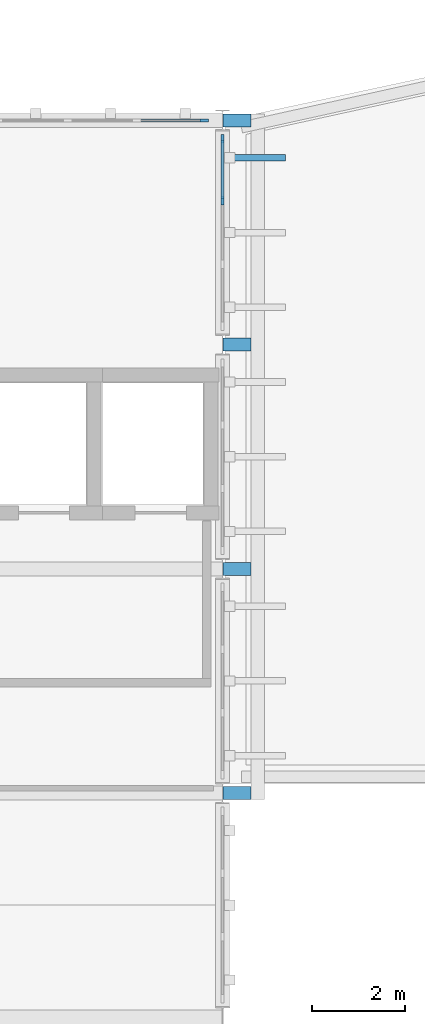
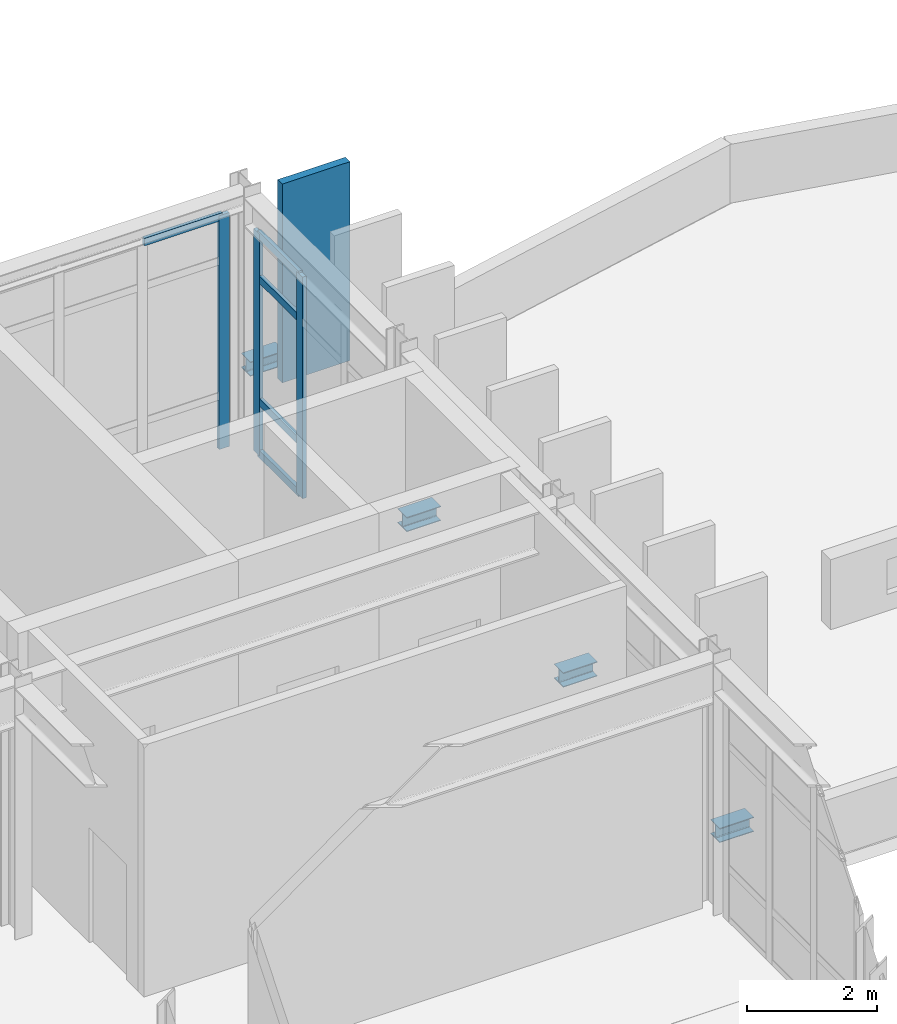
# One storey, part 9 of 16: 9 members, 4 beams, 2 elements without a shape of their own.
"""IFC4 building model written with IfcOpenShell, lengths in metres."""

from ifc_helpers import new_model, si_unit, direction, frame, origin, origin_2d, place, context, subcontext, project, spatial, rectangle, i_section, extrude, material, layer, layer_set, material_profile, profile_set, type_object, element, aggregate, save


model = new_model("IFC4")

# Units and contexts
model_context = context("Model", 3, precision=1e-05, world=origin(), true_north=direction((0.0, 1.0)))
body_context = subcontext(model_context, "Body", "Model", "MODEL_VIEW")
ifc_project = project(units=[si_unit("LENGTHUNIT", "METRE"), si_unit("AREAUNIT", "SQUARE_METRE"), si_unit("VOLUMEUNIT", "CUBIC_METRE"), si_unit("PLANEANGLEUNIT", "RADIAN"), si_unit("MASSUNIT", "GRAM", prefix="KILO")], contexts=[model_context])

# Site, building, storey
site_placement = place(None, origin())
site = spatial("IfcSite", under=ifc_project, at=site_placement, CompositionType="ELEMENT")
building_placement = place(site_placement, origin())
building = spatial("IfcBuilding", under=site, at=building_placement, Name="Nordkorset Police Headquarters", CompositionType="ELEMENT")
storey_placement = place(building_placement, frame((0.0, 0.0, 31.14990234375)))
storey = spatial("IfcBuildingStorey", under=building, at=storey_placement, Name="L07", CompositionType="ELEMENT", Elevation=31.14990234375)

# Curtain wall, member
ifc_material_1 = material(Name="Aluminium alloy AW-6060", Category="aluminium")
ifc_layer_1 = layer(ifc_material_1, 0.179931640625, Name="Aluminium alloy AW-6060")
ifc_layer_set_1 = layer_set([ifc_layer_1], Name="Aluminium alloy AW-6060")
curtain_wall_type_1 = type_object("IfcCurtainWallType", Name="CW_Unit_888x438", PredefinedType="USERDEFINED", material=ifc_layer_set_1)
curtain_wall_1_placement = place(storey_placement, origin())
curtain_wall_1 = element("IfcCurtainWall", 1, at=curtain_wall_1_placement, inside=storey, type_object=curtain_wall_type_1, Name="Unitised Curtain Wall L07 V1N-2", ObjectType="UNITISED CURTAIN WALL", PredefinedType="USERDEFINED")
ifc_material_2 = material(Name="Aluminium alloy AW-6060", Category="aluminium")
ifc_material_profile_1 = material_profile(ifc_material_2, rectangle(XDim=0.06494140625, YDim=0.179931640625, at=origin_2d()), Name="ALU MULL 65x180")
ifc_profile_set_1 = profile_set([ifc_material_profile_1], Name="Aluminium alloy AW-6060")
member_type_1 = type_object("IfcMemberType", Name="CW_Mullion_65x180", PredefinedType="MULLION", material=ifc_profile_set_1)
member_1_placement = place(storey_placement, frame((28.407470703125, 116.800048828125, 0.0), z_axis=(0.0, 0.0, 1.0), x_axis=(0.0, 1.0, 0.0)))
member_1 = element("IfcMember", 2, at=member_1_placement, type_object=member_type_1, Name="CW-102 mullion 7", PredefinedType="MULLION", context=body_context, shape_type="SweptSolid", body=[
    extrude(rectangle(XDim=0.06494140625, YDim=0.179931640625, at=origin_2d()), origin(), (0.0, 0.0, 1.0), 4.380126953125),
])

# Curtain wall, members
ifc_material_3 = material(Name="Aluminium alloy AW-6060", Category="aluminium")
ifc_layer_2 = layer(ifc_material_3, 0.179931640625, Name="Aluminium alloy AW-6060")
ifc_layer_set_2 = layer_set([ifc_layer_2], Name="Aluminium alloy AW-6060")
curtain_wall_type_2 = type_object("IfcCurtainWallType", Name="CW_Unit_408x415", PredefinedType="USERDEFINED", material=ifc_layer_set_2)
curtain_wall_2_placement = place(storey_placement, origin())
curtain_wall_2 = element("IfcCurtainWall", 3, at=curtain_wall_2_placement, inside=storey, type_object=curtain_wall_type_2, Name="Unitised Curtain Wall L07 V1E-6", ObjectType="UNITISED CURTAIN WALL", PredefinedType="USERDEFINED")
member_2_placement = place(storey_placement, frame((28.800048828125, 115.080078125, 0.0), z_axis=(0.0, 0.0, 1.0), x_axis=(-1.0, 0.0, 0.0)))
member_2 = element("IfcMember", 4, at=member_2_placement, type_object=member_type_1, Name="CW-101 mullion 3", PredefinedType="MULLION", context=body_context, shape_type="SweptSolid", body=[
    extrude(rectangle(XDim=0.06494140625, YDim=0.179931640625, at=origin_2d()), origin(), (0.0, 0.0, 1.0), 4.150146484375),
])
member_3_placement = place(storey_placement, frame((28.800048828125, 116.407470703125, 0.0), z_axis=(0.0, 0.0, 1.0), x_axis=(-1.0, 0.0, 0.0)))
member_3 = element("IfcMember", 5, at=member_3_placement, type_object=member_type_1, Name="CW-101 mullion 4", PredefinedType="MULLION", context=body_context, shape_type="SweptSolid", body=[
    extrude(rectangle(XDim=0.06494140625, YDim=0.179931640625, at=origin_2d()), origin(), (0.0, 0.0, 1.0), 4.150146484375),
])

# Member
ifc_material_4 = material(Name="Aluminium alloy AW-6060", Category="aluminium")
ifc_material_profile_2 = material_profile(ifc_material_4, rectangle(XDim=0.06494140625, YDim=0.139892578125, at=origin_2d()), Name="ALU TRAN 65x140")
ifc_profile_set_2 = profile_set([ifc_material_profile_2], Name="Aluminium alloy AW-6060")
member_type_2 = type_object("IfcMemberType", Name="CW_Transom_65x140", PredefinedType="USERDEFINED", material=ifc_profile_set_2)
member_4_placement = place(storey_placement, frame((26.992431640625, 116.800048828125, 4.34765625), z_axis=(1.0, 0.0, 0.0), x_axis=(0.0, 1.0, 0.0)))
member_4 = element("IfcMember", 6, at=member_4_placement, type_object=member_type_2, Name="CW-102 transom 6.4", ObjectType="TRANSOM", PredefinedType="USERDEFINED", context=body_context, shape_type="SweptSolid", body=[
    extrude(rectangle(XDim=0.06494140625, YDim=0.139892578125, at=origin_2d()), origin(), (0.0, 0.0, 1.0), 1.382568359375),
])

aggregate(curtain_wall_1, [member_1, member_4])

member_5_placement = place(storey_placement, frame((28.800048828125, 115.112548828125, 0.03271484375), z_axis=(0.0, 1.0, 0.0), x_axis=(-1.0, 0.0, 0.0)))
member_5 = element("IfcMember", 7, at=member_5_placement, type_object=member_type_2, Name="CW-101 transom 3.1", ObjectType="TRANSOM", PredefinedType="USERDEFINED", context=body_context, shape_type="SweptSolid", body=[
    extrude(rectangle(XDim=0.06494140625, YDim=0.139892578125, at=origin_2d()), origin(), (0.0, 0.0, 1.0), 1.262451171875),
])

member_6_placement = place(storey_placement, frame((28.800048828125, 115.112548828125, 1.0), z_axis=(0.0, 1.0, 0.0), x_axis=(-1.0, 0.0, 0.0)))
member_6 = element("IfcMember", 8, at=member_6_placement, type_object=member_type_2, Name="CW-101 transom 3.2", ObjectType="TRANSOM", PredefinedType="USERDEFINED", context=body_context, shape_type="SweptSolid", body=[
    extrude(rectangle(XDim=0.06494140625, YDim=0.139892578125, at=origin_2d()), origin(), (0.0, 0.0, 1.0), 1.262451171875),
])

member_7_placement = place(storey_placement, frame((28.800048828125, 115.112548828125, 3.300048828125), z_axis=(0.0, 1.0, 0.0), x_axis=(-1.0, 0.0, 0.0)))
member_7 = element("IfcMember", 9, at=member_7_placement, type_object=member_type_2, Name="CW-101 transom 3.3", ObjectType="TRANSOM", PredefinedType="USERDEFINED", context=body_context, shape_type="SweptSolid", body=[
    extrude(rectangle(XDim=0.06494140625, YDim=0.139892578125, at=origin_2d()), origin(), (0.0, 0.0, 1.0), 1.262451171875),
])

member_8_placement = place(storey_placement, frame((28.800048828125, 115.112548828125, 4.11767578125), z_axis=(0.0, 1.0, 0.0), x_axis=(-1.0, 0.0, 0.0)))
member_8 = element("IfcMember", 10, at=member_8_placement, type_object=member_type_2, Name="CW-101 transom 3.4", ObjectType="TRANSOM", PredefinedType="USERDEFINED", context=body_context, shape_type="SweptSolid", body=[
    extrude(rectangle(XDim=0.06494140625, YDim=0.139892578125, at=origin_2d()), origin(), (0.0, 0.0, 1.0), 1.262451171875),
])

aggregate(curtain_wall_2, [member_2, member_3, member_5, member_6, member_7, member_8])

ifc_material_5 = material(Name="Glulam GL30c", Category="wood")
ifc_material_profile_3 = material_profile(ifc_material_5, rectangle(XDim=0.139892578125, YDim=1.199951171875, at=origin_2d()), Name="GL30C FIN 140x1200")
ifc_profile_set_3 = profile_set([ifc_material_profile_3], Name="Glulam GL30c")
member_type_3 = type_object("IfcMemberType", Name="Member_GlulamFin_140x1200", PredefinedType="USERDEFINED", material=ifc_profile_set_3)
member_9_placement = place(storey_placement, frame((29.550048828125, 116.0, 1.53515625), z_axis=(0.0, 0.0, 1.0), x_axis=(0.0, 1.0, 0.0)))
element("IfcMember", 11, at=member_9_placement, inside=storey, type_object=member_type_3, Name="Vertical Glulam Timber Fin East 042", ObjectType="VERTICAL TIMBER FIN", PredefinedType="USERDEFINED", context=body_context, shape_type="SweptSolid", body=[
    extrude(rectangle(XDim=0.139892578125, YDim=1.199951171875, at=origin_2d()), origin(), (0.0, 0.0, 1.0), 3.724853515625),
])

# Beams
ifc_material_6 = material(Name="Steel S355J2", Category="steel")
ifc_material_profile_4 = material_profile(ifc_material_6, i_section(OverallWidth=0.280029296875, OverallDepth=0.27001953125, WebThickness=0.008056640625, FlangeThickness=0.012939453125, FilletRadius=0.02392578125, at=origin_2d()), Name="HEA 280")
ifc_profile_set_4 = profile_set([ifc_material_profile_4], Name="Steel S355J2")
beam_type = type_object("IfcBeamType", Name="Spandrel_HEA_280", PredefinedType="SPANDREL", material=ifc_profile_set_4)
for number, where, z_axis, x_axis, name in (
    (12, (28.806884765625, 102.39990234375, 1.400146484375), (1.0, 0.0, 0.0), (0.0, 1.0, 0.0), "Facade Fin Outrigger Beam East Upper 1"),
    (13, (28.806884765625, 107.199951171875, 1.400146484375), (1.0, 0.0, 0.0), (0.0, 1.0, 0.0), "Facade Fin Outrigger Beam East Upper 2"),
    (14, (28.806884765625, 112.0, 1.400146484375), (1.0, 0.0, 0.0), (0.0, 1.0, 0.0), "Facade Fin Outrigger Beam East Upper 3"),
    (15, (28.806884765625, 116.800048828125, 1.400146484375), (1.0, 0.0, 0.0), (0.0, 1.0, 0.0), "Facade Fin Outrigger Beam East Upper 4"),
):
    element("IfcBeam", number, at=place(storey_placement, frame(where, z_axis=z_axis, x_axis=x_axis)), inside=storey, type_object=beam_type, Name=name, PredefinedType="SPANDREL", context=body_context, shape_type="SweptSolid", body=[
        extrude(i_section(OverallWidth=0.280029296875, OverallDepth=0.27001953125, WebThickness=0.008056640625, FlangeThickness=0.012939453125, FilletRadius=0.02392578125, at=origin_2d()), origin(), (0.0, 0.0, 1.0), 0.60302734375),
    ])

save(model, "model.ifc")
